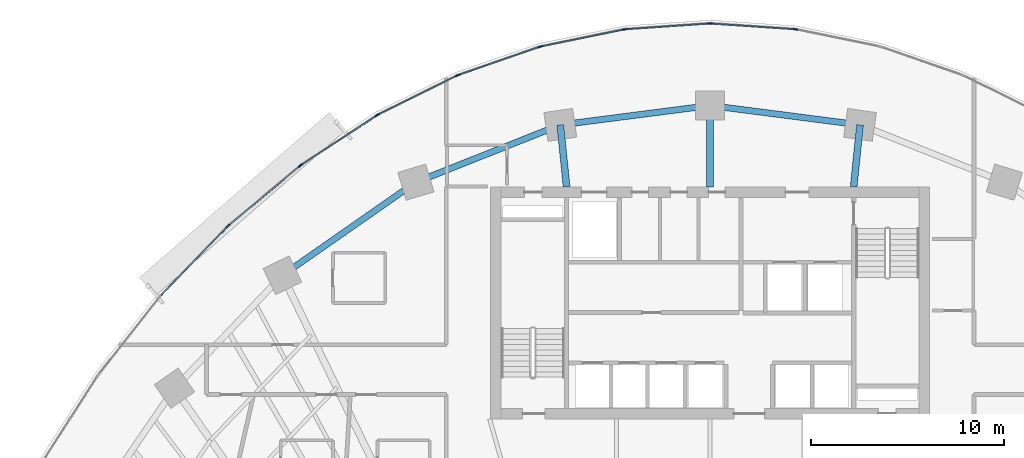
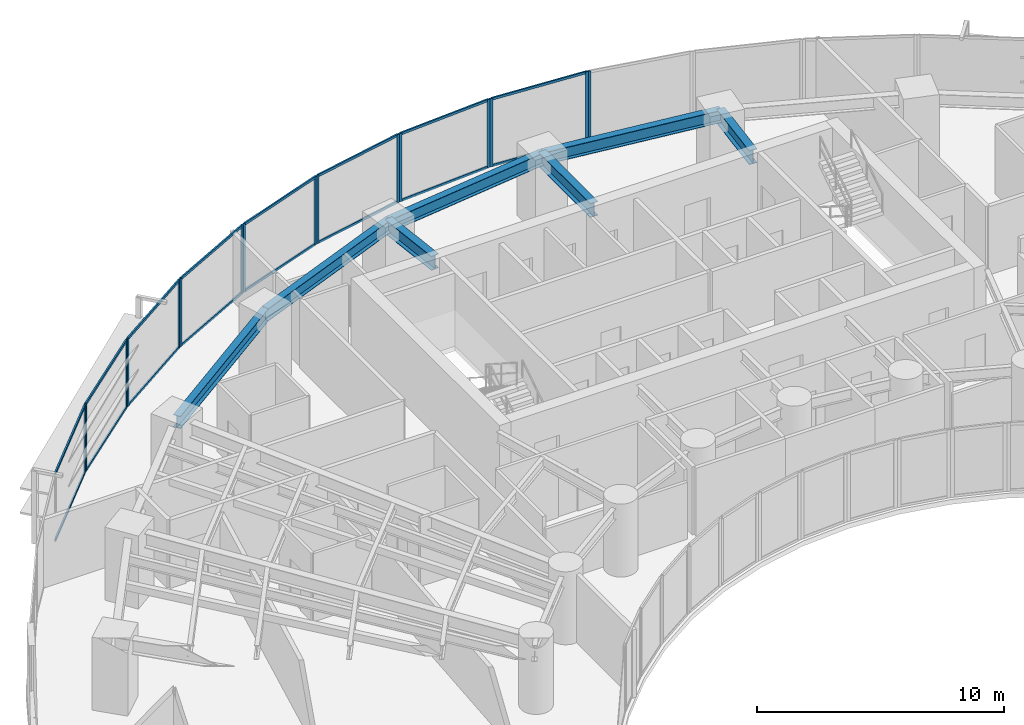
# One storey, part 6 of 17: 32 members, 7 beams, 9 elements without a shape of their own.
"""IFC4 building model written with IfcOpenShell, lengths in metres."""

from ifc_helpers import new_model, si_unit, direction, frame, origin, origin_2d, place, context, subcontext, project, spatial, rectangle, i_section, extrude, source, transform, mapped, material, layer, layer_set, material_profile, profile_set, type_object, element, aggregate, save


model = new_model("IFC4")

# Units and contexts
model_context = context("Model", 3, precision=1e-05, world=origin(), true_north=direction((0.0, 1.0)))
body_context = subcontext(model_context, "Body", "Model", "MODEL_VIEW")
ifc_project = project(units=[si_unit("LENGTHUNIT", "METRE"), si_unit("AREAUNIT", "SQUARE_METRE"), si_unit("VOLUMEUNIT", "CUBIC_METRE"), si_unit("PLANEANGLEUNIT", "RADIAN"), si_unit("MASSUNIT", "GRAM", prefix="KILO")], contexts=[model_context])

# Site, building, storey
site_placement = place(None, origin())
site = spatial("IfcSite", under=ifc_project, at=site_placement, CompositionType="ELEMENT")
building_placement = place(site_placement, origin())
building = spatial("IfcBuilding", under=site, at=building_placement, Name="Breltana Convention Tower", CompositionType="ELEMENT")
storey_placement = place(building_placement, frame((0.0, 0.0, 78.60009765625)))
storey = spatial("IfcBuildingStorey", under=building, at=storey_placement, Name="L18", CompositionType="ELEMENT", Elevation=78.60009765625)

# Beams
ifc_material_1 = material(Name="Steel ASTM A992 Grade 50", Category="steel")
ifc_material_profile_1 = material_profile(ifc_material_1, i_section(OverallWidth=0.323974609375, OverallDepth=0.611083984375, WebThickness=0.0126953125, FlangeThickness=0.01904296875, at=origin_2d()), Name="W24X104")
ifc_profile_set_1 = profile_set([ifc_material_profile_1], Name="Steel ASTM A992 Grade 50")
beam_type_1 = type_object("IfcBeamType", Name="BM-SP-W24X104", PredefinedType="SPANDREL", material=ifc_profile_set_1)
shared_shape_1 = source(origin(), body_context, "Body", "SweptSolid", [
    extrude(i_section(OverallWidth=0.323974609375, OverallDepth=0.611083984375, WebThickness=0.0126953125, FlangeThickness=0.01904296875, at=origin_2d()), origin(), (0.0, 0.0, 1.0), 8.4169921875),
])
beam_1_placement = place(storey_placement, frame((25.8876953125, 67.626953125, 3.054443359375), z_axis=(0.820173800102, 0.572114444519, 0.0), x_axis=(-0.572114444519, 0.820173800102, 0.0)))
element("IfcBeam", 1, at=beam_1_placement, inside=storey, type_object=beam_type_1, Name="L18 Outer Spandrel Beam 03", PredefinedType="SPANDREL", context=body_context, shape_type="MappedRepresentation", body=[
    mapped(shared_shape_1, transform((0.0, 0.0, 0.0), scale=1.0)),
])
shared_shape_2 = source(origin(), body_context, "Body", "SweptSolid", [
    extrude(i_section(OverallWidth=0.323974609375, OverallDepth=0.611083984375, WebThickness=0.0126953125, FlangeThickness=0.01904296875, at=origin_2d()), origin(), (0.0, 0.0, 1.0), 8.028564453125),
])
beam_2_placement = place(storey_placement, frame((32.791015625, 72.4423828125, 3.054443359375), z_axis=(0.929459100394, 0.368925169507, 0.0), x_axis=(-0.368925169507, 0.929459100394, 0.0)))
element("IfcBeam", 2, at=beam_2_placement, inside=storey, type_object=beam_type_1, Name="L18 Outer Spandrel Beam 04", PredefinedType="SPANDREL", context=body_context, shape_type="MappedRepresentation", body=[
    mapped(shared_shape_2, transform((0.0, 0.0, 0.0), scale=1.0)),
])
shared_shape_3 = source(origin(), body_context, "Body", "SweptSolid", [
    extrude(i_section(OverallWidth=0.323974609375, OverallDepth=0.611083984375, WebThickness=0.0126953125, FlangeThickness=0.01904296875, at=origin_2d()), origin(), (0.0, 0.0, 1.0), 7.81103515625),
])
for number, where, z_axis, x_axis, name in (
    (3, (40.253173828125, 75.404296875, 3.054443359375), (0.991775179127, 0.127992164083, 0.0), (-0.127992164083, 0.991775179127, 0.0), "L18 Outer Spandrel Beam 05"),
    (4, (48.0, 76.404052734375, 3.054443359375), (0.991775179127, -0.127992164083, 0.0), (0.127992164083, 0.991775179127, 0.0), "L18 Outer Spandrel Beam 06"),
):
    element("IfcBeam", number, at=place(storey_placement, frame(where, z_axis=z_axis, x_axis=x_axis)), inside=storey, type_object=beam_type_1, Name=name, PredefinedType="SPANDREL", context=body_context, shape_type="MappedRepresentation", body=[
        mapped(shared_shape_3, transform((0.0, 0.0, 0.0), scale=1.0)),
    ])
ifc_material_profile_2 = material_profile(ifc_material_1, i_section(OverallWidth=0.35498046875, OverallDepth=0.696044921875, WebThickness=0.015380859375, FlangeThickness=0.02490234375, at=origin_2d()), Name="W27X146")
ifc_profile_set_2 = profile_set([ifc_material_profile_2], Name="Steel ASTM A992 Grade 50")
beam_type_2 = type_object("IfcBeamType", Name="BM-RG-W27X146", PredefinedType="USERDEFINED", material=ifc_profile_set_2)
shared_shape_4 = source(origin(), body_context, "Body", "SweptSolid", [
    extrude(i_section(OverallWidth=0.35498046875, OverallDepth=0.696044921875, WebThickness=0.015380859375, FlangeThickness=0.02490234375, at=origin_2d()), origin(), (0.0, 0.0, 1.0), 3.220947265625),
])
for number, where, z_axis, x_axis, name in (
    (5, (40.580078125, 72.199951171875, 3.011962890625), (-0.101492254858, 0.994836329355, 0.0), (-0.994836329355, -0.101492254858, 0.0), "L18 North Core Radial Girder R05"),
    (6, (55.419921875, 72.199951171875, 3.011962890625), (0.101492254858, 0.994836329355, 0.0), (-0.994836329355, 0.101492254858, 0.0), "L18 North Core Radial Girder R07"),
):
    element("IfcBeam", number, at=place(storey_placement, frame(where, z_axis=z_axis, x_axis=x_axis)), inside=storey, type_object=beam_type_2, Name=name, ObjectType="GIRDER", PredefinedType="USERDEFINED", context=body_context, shape_type="MappedRepresentation", body=[
        mapped(shared_shape_4, transform((0.0, 0.0, 0.0), scale=1.0)),
    ])
shared_shape_5 = source(origin(), body_context, "Body", "SweptSolid", [
    extrude(i_section(OverallWidth=0.35498046875, OverallDepth=0.696044921875, WebThickness=0.015380859375, FlangeThickness=0.02490234375, at=origin_2d()), origin(), (0.0, 0.0, 1.0), 4.2041015625),
])
beam_3_placement = place(storey_placement, frame((48.0, 72.199951171875, 3.011962890625), z_axis=(0.0, 1.0, 0.0), x_axis=(-1.0, 0.0, 0.0)))
element("IfcBeam", 7, at=beam_3_placement, inside=storey, type_object=beam_type_2, Name="L18 North Core Radial Girder R06", ObjectType="GIRDER", PredefinedType="USERDEFINED", context=body_context, shape_type="MappedRepresentation", body=[
    mapped(shared_shape_5, transform((0.0, 0.0, 0.0), scale=1.0)),
])

# Curtain wall, members
ifc_material_2 = material(Name="Aluminium Anodised Bronze Frame", Category="aluminium")
ifc_layer = layer(ifc_material_2, 0.199951171875, Name="Aluminium Anodised Bronze Frame")
ifc_layer_set = layer_set([ifc_layer], Name="Aluminium Anodised Bronze Frame")
curtain_wall_type = type_object("IfcCurtainWallType", Name="CW-SYS-2", PredefinedType="NOTDEFINED", material=ifc_layer_set)
curtain_wall_1_placement = place(storey_placement, origin())
curtain_wall_1 = element("IfcCurtainWall", 8, at=curtain_wall_1_placement, inside=storey, type_object=curtain_wall_type, Name="L18 outer double-skin inner glazing 3", PredefinedType="NOTDEFINED")
ifc_material_3 = material(Name="Aluminium Anodised Bronze", Category="aluminium")
ifc_material_profile_3 = material_profile(ifc_material_3, rectangle(XDim=0.070068359375, YDim=0.1201171875, at=origin_2d()), Name="CWT-70X120")
ifc_profile_set_3 = profile_set([ifc_material_profile_3], Name="Aluminium Anodised Bronze")
member_type_1 = type_object("IfcMemberType", Name="CWT-120", PredefinedType="USERDEFINED", material=ifc_profile_set_3)
shared_shape_6 = source(origin(), body_context, "Body", "SweptSolid", [
    extrude(rectangle(XDim=0.070068359375, YDim=0.1201171875, at=origin_2d()), origin(), (0.0, 0.0, 1.0), 4.901123046875),
])
member_1_placement = place(storey_placement, frame((19.615478515625, 66.5966796875, 0.034912109375), z_axis=(0.6945945137, 0.719401460617, 0.0), x_axis=(-0.719401460617, 0.6945945137, 0.0)))
member_1 = element("IfcMember", 9, at=member_1_placement, type_object=member_type_1, Name="CW-02 transom 1.1", ObjectType="TRANSOM", PredefinedType="USERDEFINED", context=body_context, shape_type="MappedRepresentation", body=[
    mapped(shared_shape_6, transform((0.0, 0.0, 0.0), scale=1.0)),
])
member_2_placement = place(storey_placement, frame((19.615478515625, 66.5966796875, 3.324951171875), z_axis=(0.6945945137, 0.719401460617, 0.0), x_axis=(-0.719401460617, 0.6945945137, 0.0)))
member_2 = element("IfcMember", 10, at=member_2_placement, type_object=member_type_1, Name="CW-02 transom 1.2", ObjectType="TRANSOM", PredefinedType="USERDEFINED", context=body_context, shape_type="MappedRepresentation", body=[
    mapped(shared_shape_6, transform((0.0, 0.0, 0.0), scale=1.0)),
])

curtain_wall_2_placement = place(storey_placement, origin())
curtain_wall_2 = element("IfcCurtainWall", 11, at=curtain_wall_2_placement, inside=storey, type_object=curtain_wall_type, Name="L18 outer double-skin inner glazing 4", PredefinedType="NOTDEFINED")
shared_shape_7 = source(origin(), body_context, "Body", "SweptSolid", [
    extrude(rectangle(XDim=0.070068359375, YDim=0.1201171875, at=origin_2d()), origin(), (0.0, 0.0, 1.0), 4.7509765625),
])
member_3_placement = place(storey_placement, frame((23.1220703125, 70.2177734375, 0.034912109375), z_axis=(0.767951631807, 0.64050783852, 0.0), x_axis=(-0.64050783852, 0.767951631807, 0.0)))
member_3 = element("IfcMember", 12, at=member_3_placement, type_object=member_type_1, Name="CW-02 transom 1.1", ObjectType="TRANSOM", PredefinedType="USERDEFINED", context=body_context, shape_type="MappedRepresentation", body=[
    mapped(shared_shape_7, transform((0.0, 0.0, 0.0), scale=1.0)),
])
member_4_placement = place(storey_placement, frame((23.1220703125, 70.2177734375, 3.324951171875), z_axis=(0.767951631807, 0.64050783852, 0.0), x_axis=(-0.64050783852, 0.767951631807, 0.0)))
member_4 = element("IfcMember", 13, at=member_4_placement, type_object=member_type_1, Name="CW-02 transom 1.2", ObjectType="TRANSOM", PredefinedType="USERDEFINED", context=body_context, shape_type="MappedRepresentation", body=[
    mapped(shared_shape_7, transform((0.0, 0.0, 0.0), scale=1.0)),
])

curtain_wall_3_placement = place(storey_placement, origin())
curtain_wall_3 = element("IfcCurtainWall", 14, at=curtain_wall_3_placement, inside=storey, type_object=curtain_wall_type, Name="L18 outer double-skin inner glazing 5", PredefinedType="NOTDEFINED")
shared_shape_8 = source(origin(), body_context, "Body", "SweptSolid", [
    extrude(rectangle(XDim=0.070068359375, YDim=0.1201171875, at=origin_2d()), origin(), (0.0, 0.0, 1.0), 4.610595703125),
])
member_5_placement = place(storey_placement, frame((26.8828125, 73.343994140625, 0.034912109375), z_axis=(0.835956055104, 0.54879638659, 0.0), x_axis=(-0.54879638659, 0.835956055104, 0.0)))
member_5 = element("IfcMember", 15, at=member_5_placement, type_object=member_type_1, Name="CW-02 transom 1.1", ObjectType="TRANSOM", PredefinedType="USERDEFINED", context=body_context, shape_type="MappedRepresentation", body=[
    mapped(shared_shape_8, transform((0.0, 0.0, 0.0), scale=1.0)),
])
member_6_placement = place(storey_placement, frame((26.8828125, 73.343994140625, 3.324951171875), z_axis=(0.835956055104, 0.54879638659, 0.0), x_axis=(-0.54879638659, 0.835956055104, 0.0)))
member_6 = element("IfcMember", 16, at=member_6_placement, type_object=member_type_1, Name="CW-02 transom 1.2", ObjectType="TRANSOM", PredefinedType="USERDEFINED", context=body_context, shape_type="MappedRepresentation", body=[
    mapped(shared_shape_8, transform((0.0, 0.0, 0.0), scale=1.0)),
])

curtain_wall_4_placement = place(storey_placement, origin())
curtain_wall_4 = element("IfcCurtainWall", 17, at=curtain_wall_4_placement, inside=storey, type_object=curtain_wall_type, Name="L18 outer double-skin inner glazing 6", PredefinedType="NOTDEFINED")
shared_shape_9 = source(origin(), body_context, "Body", "SweptSolid", [
    extrude(rectangle(XDim=0.070068359375, YDim=0.1201171875, at=origin_2d()), origin(), (0.0, 0.0, 1.0), 4.487548828125),
])
member_7_placement = place(storey_placement, frame((30.8583984375, 75.94384765625, 0.034912109375), z_axis=(0.895977728863, 0.444098986017, 0.0), x_axis=(-0.444098986017, 0.895977728863, 0.0)))
member_7 = element("IfcMember", 18, at=member_7_placement, type_object=member_type_1, Name="CW-02 transom 1.1", ObjectType="TRANSOM", PredefinedType="USERDEFINED", context=body_context, shape_type="MappedRepresentation", body=[
    mapped(shared_shape_9, transform((0.0, 0.0, 0.0), scale=1.0)),
])
member_8_placement = place(storey_placement, frame((30.8583984375, 75.94384765625, 3.324951171875), z_axis=(0.895977728863, 0.444098986017, 0.0), x_axis=(-0.444098986017, 0.895977728863, 0.0)))
member_8 = element("IfcMember", 19, at=member_8_placement, type_object=member_type_1, Name="CW-02 transom 1.2", ObjectType="TRANSOM", PredefinedType="USERDEFINED", context=body_context, shape_type="MappedRepresentation", body=[
    mapped(shared_shape_9, transform((0.0, 0.0, 0.0), scale=1.0)),
])

curtain_wall_5_placement = place(storey_placement, origin())
curtain_wall_5 = element("IfcCurtainWall", 20, at=curtain_wall_5_placement, inside=storey, type_object=curtain_wall_type, Name="L18 outer double-skin inner glazing 7", PredefinedType="NOTDEFINED")
shared_shape_10 = source(origin(), body_context, "Body", "SweptSolid", [
    extrude(rectangle(XDim=0.070068359375, YDim=0.1201171875, at=origin_2d()), origin(), (0.0, 0.0, 1.0), 4.38818359375),
])
member_9_placement = place(storey_placement, frame((35.008056640625, 77.99072265625, 0.034912109375), z_axis=(0.944878203019, 0.32742202348, 0.0), x_axis=(-0.32742202348, 0.944878203019, 0.0)))
member_9 = element("IfcMember", 21, at=member_9_placement, type_object=member_type_1, Name="CW-02 transom 1.1", ObjectType="TRANSOM", PredefinedType="USERDEFINED", context=body_context, shape_type="MappedRepresentation", body=[
    mapped(shared_shape_10, transform((0.0, 0.0, 0.0), scale=1.0)),
])
member_10_placement = place(storey_placement, frame((35.008056640625, 77.99072265625, 3.324951171875), z_axis=(0.944878203019, 0.32742202348, 0.0), x_axis=(-0.32742202348, 0.944878203019, 0.0)))
member_10 = element("IfcMember", 22, at=member_10_placement, type_object=member_type_1, Name="CW-02 transom 1.2", ObjectType="TRANSOM", PredefinedType="USERDEFINED", context=body_context, shape_type="MappedRepresentation", body=[
    mapped(shared_shape_10, transform((0.0, 0.0, 0.0), scale=1.0)),
])

curtain_wall_6_placement = place(storey_placement, origin())
curtain_wall_6 = element("IfcCurtainWall", 23, at=curtain_wall_6_placement, inside=storey, type_object=curtain_wall_type, Name="L18 outer double-skin inner glazing 8", PredefinedType="NOTDEFINED")
shared_shape_11 = source(origin(), body_context, "Body", "SweptSolid", [
    extrude(rectangle(XDim=0.070068359375, YDim=0.1201171875, at=origin_2d()), origin(), (0.0, 0.0, 1.0), 4.318359375),
])
member_11_placement = place(storey_placement, frame((39.2890625, 79.464599609375, 0.034912109375), z_axis=(0.979616680923, 0.200875977799, 0.0), x_axis=(-0.200875977799, 0.979616680923, 0.0)))
member_11 = element("IfcMember", 24, at=member_11_placement, type_object=member_type_1, Name="CW-02 transom 1.1", ObjectType="TRANSOM", PredefinedType="USERDEFINED", context=body_context, shape_type="MappedRepresentation", body=[
    mapped(shared_shape_11, transform((0.0, 0.0, 0.0), scale=1.0)),
])
member_12_placement = place(storey_placement, frame((39.2890625, 79.464599609375, 3.324951171875), z_axis=(0.979616680923, 0.200875977799, 0.0), x_axis=(-0.200875977799, 0.979616680923, 0.0)))
member_12 = element("IfcMember", 25, at=member_12_placement, type_object=member_type_1, Name="CW-02 transom 1.2", ObjectType="TRANSOM", PredefinedType="USERDEFINED", context=body_context, shape_type="MappedRepresentation", body=[
    mapped(shared_shape_11, transform((0.0, 0.0, 0.0), scale=1.0)),
])

curtain_wall_7_placement = place(storey_placement, origin())
curtain_wall_7 = element("IfcCurtainWall", 26, at=curtain_wall_7_placement, inside=storey, type_object=curtain_wall_type, Name="L18 outer double-skin inner glazing 9", PredefinedType="NOTDEFINED")
shared_shape_12 = source(origin(), body_context, "Body", "SweptSolid", [
    extrude(rectangle(XDim=0.070068359375, YDim=0.1201171875, at=origin_2d()), origin(), (0.0, 0.0, 1.0), 4.2822265625),
])
member_13_placement = place(storey_placement, frame((43.65771484375, 80.350830078125, 0.034912109375), z_axis=(0.997703698684, 0.067729828231, 0.0), x_axis=(-0.067729828231, 0.997703698684, 0.0)))
member_13 = element("IfcMember", 27, at=member_13_placement, type_object=member_type_1, Name="CW-02 transom 1.1", ObjectType="TRANSOM", PredefinedType="USERDEFINED", context=body_context, shape_type="MappedRepresentation", body=[
    mapped(shared_shape_12, transform((0.0, 0.0, 0.0), scale=1.0)),
])
member_14_placement = place(storey_placement, frame((43.65771484375, 80.350830078125, 3.324951171875), z_axis=(0.997703698684, 0.067729828231, 0.0), x_axis=(-0.067729828231, 0.997703698684, 0.0)))
member_14 = element("IfcMember", 28, at=member_14_placement, type_object=member_type_1, Name="CW-02 transom 1.2", ObjectType="TRANSOM", PredefinedType="USERDEFINED", context=body_context, shape_type="MappedRepresentation", body=[
    mapped(shared_shape_12, transform((0.0, 0.0, 0.0), scale=1.0)),
])

curtain_wall_8_placement = place(storey_placement, origin())
curtain_wall_8 = element("IfcCurtainWall", 29, at=curtain_wall_8_placement, inside=storey, type_object=curtain_wall_type, Name="L18 outer double-skin inner glazing 10", PredefinedType="NOTDEFINED")
member_15_placement = place(storey_placement, frame((48.06982421875, 80.640869140625, 0.034912109375), z_axis=(0.997703698684, -0.067729828231, 0.0), x_axis=(0.067729828231, 0.997703698684, 0.0)))
member_15 = element("IfcMember", 30, at=member_15_placement, type_object=member_type_1, Name="CW-02 transom 1.1", ObjectType="TRANSOM", PredefinedType="USERDEFINED", context=body_context, shape_type="MappedRepresentation", body=[
    mapped(shared_shape_12, transform((0.0, 0.0, 0.0), scale=1.0)),
])
member_16_placement = place(storey_placement, frame((48.06982421875, 80.640869140625, 3.324951171875), z_axis=(0.997703698684, -0.067729828231, 0.0), x_axis=(0.067729828231, 0.997703698684, 0.0)))
member_16 = element("IfcMember", 31, at=member_16_placement, type_object=member_type_1, Name="CW-02 transom 1.2", ObjectType="TRANSOM", PredefinedType="USERDEFINED", context=body_context, shape_type="MappedRepresentation", body=[
    mapped(shared_shape_12, transform((0.0, 0.0, 0.0), scale=1.0)),
])

# Member
ifc_material_profile_4 = material_profile(ifc_material_3, rectangle(XDim=0.070068359375, YDim=0.175048828125, at=origin_2d()), Name="CWM-70X175")
ifc_profile_set_4 = profile_set([ifc_material_profile_4], Name="Aluminium Anodised Bronze")
member_type_2 = type_object("IfcMemberType", Name="CWM-175", PredefinedType="MULLION", material=ifc_profile_set_4)
shared_shape_13 = source(origin(), body_context, "Body", "SweptSolid", [
    extrude(rectangle(XDim=0.070068359375, YDim=0.175048828125, at=origin_2d()), origin(), (0.0, 0.0, 1.0), 3.35986328125),
])
member_17_placement = place(storey_placement, frame((23.044189453125, 70.147705078125, 0.0), z_axis=(0.0, 0.0, 1.0), x_axis=(-0.719386421003, 0.694610090106, 0.0)))
member_17 = element("IfcMember", 32, at=member_17_placement, type_object=member_type_2, Name="CW-02 mullion 2", PredefinedType="MULLION", context=body_context, shape_type="MappedRepresentation", body=[
    mapped(shared_shape_13, transform((0.0, 0.0, 0.0), scale=1.0)),
])

aggregate(curtain_wall_1, [member_17, member_1, member_2])

member_18_placement = place(storey_placement, frame((23.09521484375, 70.1953125, 0.0), z_axis=(0.0, 0.0, 1.0), x_axis=(-0.640520193554, 0.767941326958, 0.0)))
member_18 = element("IfcMember", 33, at=member_18_placement, type_object=member_type_2, Name="CW-02 mullion 1", PredefinedType="MULLION", context=body_context, shape_type="MappedRepresentation", body=[
    mapped(shared_shape_13, transform((0.0, 0.0, 0.0), scale=1.0)),
])

member_19_placement = place(storey_placement, frame((26.79736328125, 73.283203125, 0.0), z_axis=(0.0, 0.0, 1.0), x_axis=(-0.640520193554, 0.767941326958, 0.0)))
member_19 = element("IfcMember", 34, at=member_19_placement, type_object=member_type_2, Name="CW-02 mullion 2", PredefinedType="MULLION", context=body_context, shape_type="MappedRepresentation", body=[
    mapped(shared_shape_13, transform((0.0, 0.0, 0.0), scale=1.0)),
])

aggregate(curtain_wall_2, [member_18, member_19, member_3, member_4])

member_20_placement = place(storey_placement, frame((26.853515625, 73.32470703125, 0.0), z_axis=(0.0, 0.0, 1.0), x_axis=(-0.548784255746, 0.83596401875, 0.0)))
member_20 = element("IfcMember", 35, at=member_20_placement, type_object=member_type_2, Name="CW-02 mullion 1", PredefinedType="MULLION", context=body_context, shape_type="MappedRepresentation", body=[
    mapped(shared_shape_13, transform((0.0, 0.0, 0.0), scale=1.0)),
])

member_21_placement = place(storey_placement, frame((30.766357421875, 75.8935546875, 0.0), z_axis=(0.0, 0.0, 1.0), x_axis=(-0.548784255746, 0.83596401875, 0.0)))
member_21 = element("IfcMember", 36, at=member_21_placement, type_object=member_type_2, Name="CW-02 mullion 2", PredefinedType="MULLION", context=body_context, shape_type="MappedRepresentation", body=[
    mapped(shared_shape_13, transform((0.0, 0.0, 0.0), scale=1.0)),
])

aggregate(curtain_wall_3, [member_20, member_21, member_5, member_6])

member_22_placement = place(storey_placement, frame((30.8271484375, 75.92822265625, 0.0), z_axis=(0.0, 0.0, 1.0), x_axis=(-0.444107703726, 0.895973407804, 0.0)))
member_22 = element("IfcMember", 37, at=member_22_placement, type_object=member_type_2, Name="CW-02 mullion 1", PredefinedType="MULLION", context=body_context, shape_type="MappedRepresentation", body=[
    mapped(shared_shape_13, transform((0.0, 0.0, 0.0), scale=1.0)),
])

member_23_placement = place(storey_placement, frame((34.910400390625, 77.9521484375, 0.0), z_axis=(0.0, 0.0, 1.0), x_axis=(-0.444107703726, 0.895973407804, 0.0)))
member_23 = element("IfcMember", 38, at=member_23_placement, type_object=member_type_2, Name="CW-02 mullion 2", PredefinedType="MULLION", context=body_context, shape_type="MappedRepresentation", body=[
    mapped(shared_shape_13, transform((0.0, 0.0, 0.0), scale=1.0)),
])

aggregate(curtain_wall_4, [member_22, member_23, member_7, member_8])

member_24_placement = place(storey_placement, frame((34.974853515625, 77.979248046875, 0.0), z_axis=(0.0, 0.0, 1.0), x_axis=(-0.32742834581, 0.944876012163, 0.0)))
member_24 = element("IfcMember", 39, at=member_24_placement, type_object=member_type_2, Name="CW-02 mullion 1", PredefinedType="MULLION", context=body_context, shape_type="MappedRepresentation", body=[
    mapped(shared_shape_13, transform((0.0, 0.0, 0.0), scale=1.0)),
])

member_25_placement = place(storey_placement, frame((39.1875, 79.43896484375, 0.0), z_axis=(0.0, 0.0, 1.0), x_axis=(-0.32742834581, 0.944876012163, 0.0)))
member_25 = element("IfcMember", 40, at=member_25_placement, type_object=member_type_2, Name="CW-02 mullion 2", PredefinedType="MULLION", context=body_context, shape_type="MappedRepresentation", body=[
    mapped(shared_shape_13, transform((0.0, 0.0, 0.0), scale=1.0)),
])

aggregate(curtain_wall_5, [member_24, member_25, member_9, member_10])

member_26_placement = place(storey_placement, frame((39.2548828125, 79.45751953125, 0.0), z_axis=(0.0, 0.0, 1.0), x_axis=(-0.200884537139, 0.979614925743, 0.0)))
member_26 = element("IfcMember", 41, at=member_26_placement, type_object=member_type_2, Name="CW-02 mullion 1", PredefinedType="MULLION", context=body_context, shape_type="MappedRepresentation", body=[
    mapped(shared_shape_13, transform((0.0, 0.0, 0.0), scale=1.0)),
])

member_27_placement = place(storey_placement, frame((43.5537109375, 80.339111328125, 0.0), z_axis=(0.0, 0.0, 1.0), x_axis=(-0.200884537139, 0.979614925743, 0.0)))
member_27 = element("IfcMember", 42, at=member_27_placement, type_object=member_type_2, Name="CW-02 mullion 2", PredefinedType="MULLION", context=body_context, shape_type="MappedRepresentation", body=[
    mapped(shared_shape_13, transform((0.0, 0.0, 0.0), scale=1.0)),
])

aggregate(curtain_wall_6, [member_26, member_27, member_11, member_12])

member_28_placement = place(storey_placement, frame((43.622802734375, 80.348388671875, 0.0), z_axis=(0.0, 0.0, 1.0), x_axis=(-0.067725650529, 0.997703982282, 0.0)))
member_28 = element("IfcMember", 43, at=member_28_placement, type_object=member_type_2, Name="CW-02 mullion 1", PredefinedType="MULLION", context=body_context, shape_type="MappedRepresentation", body=[
    mapped(shared_shape_13, transform((0.0, 0.0, 0.0), scale=1.0)),
])

member_29_placement = place(storey_placement, frame((47.965087890625, 80.643310546875, 0.0), z_axis=(0.0, 0.0, 1.0), x_axis=(-0.067725650529, 0.997703982282, 0.0)))
member_29 = element("IfcMember", 44, at=member_29_placement, type_object=member_type_2, Name="CW-02 mullion 2", PredefinedType="MULLION", context=body_context, shape_type="MappedRepresentation", body=[
    mapped(shared_shape_13, transform((0.0, 0.0, 0.0), scale=1.0)),
])

aggregate(curtain_wall_7, [member_28, member_29, member_13, member_14])

member_30_placement = place(storey_placement, frame((48.034912109375, 80.643310546875, 0.0), z_axis=(0.0, 0.0, 1.0), x_axis=(0.067725650529, 0.997703982282, 0.0)))
member_30 = element("IfcMember", 45, at=member_30_placement, type_object=member_type_2, Name="CW-02 mullion 1", PredefinedType="MULLION", context=body_context, shape_type="MappedRepresentation", body=[
    mapped(shared_shape_13, transform((0.0, 0.0, 0.0), scale=1.0)),
])

member_31_placement = place(storey_placement, frame((52.377197265625, 80.348388671875, 0.0), z_axis=(0.0, 0.0, 1.0), x_axis=(0.067725650529, 0.997703982282, 0.0)))
member_31 = element("IfcMember", 46, at=member_31_placement, type_object=member_type_2, Name="CW-02 mullion 2", PredefinedType="MULLION", context=body_context, shape_type="MappedRepresentation", body=[
    mapped(shared_shape_13, transform((0.0, 0.0, 0.0), scale=1.0)),
])

aggregate(curtain_wall_8, [member_30, member_31, member_15, member_16])

# Curtain wall, member
curtain_wall_9_placement = place(storey_placement, origin())
curtain_wall_9 = element("IfcCurtainWall", 47, at=curtain_wall_9_placement, inside=storey, type_object=curtain_wall_type, Name="L18 outer double-skin inner glazing 11", PredefinedType="NOTDEFINED")
member_32_placement = place(storey_placement, frame((52.4462890625, 80.339111328125, 0.0), z_axis=(0.0, 0.0, 1.0), x_axis=(0.200884537139, 0.979614925743, 0.0)))
member_32 = element("IfcMember", 48, at=member_32_placement, type_object=member_type_2, Name="CW-02 mullion 1", PredefinedType="MULLION", context=body_context, shape_type="MappedRepresentation", body=[
    mapped(shared_shape_13, transform((0.0, 0.0, 0.0), scale=1.0)),
])
aggregate(curtain_wall_9, [member_32])

save(model, "model.ifc")
